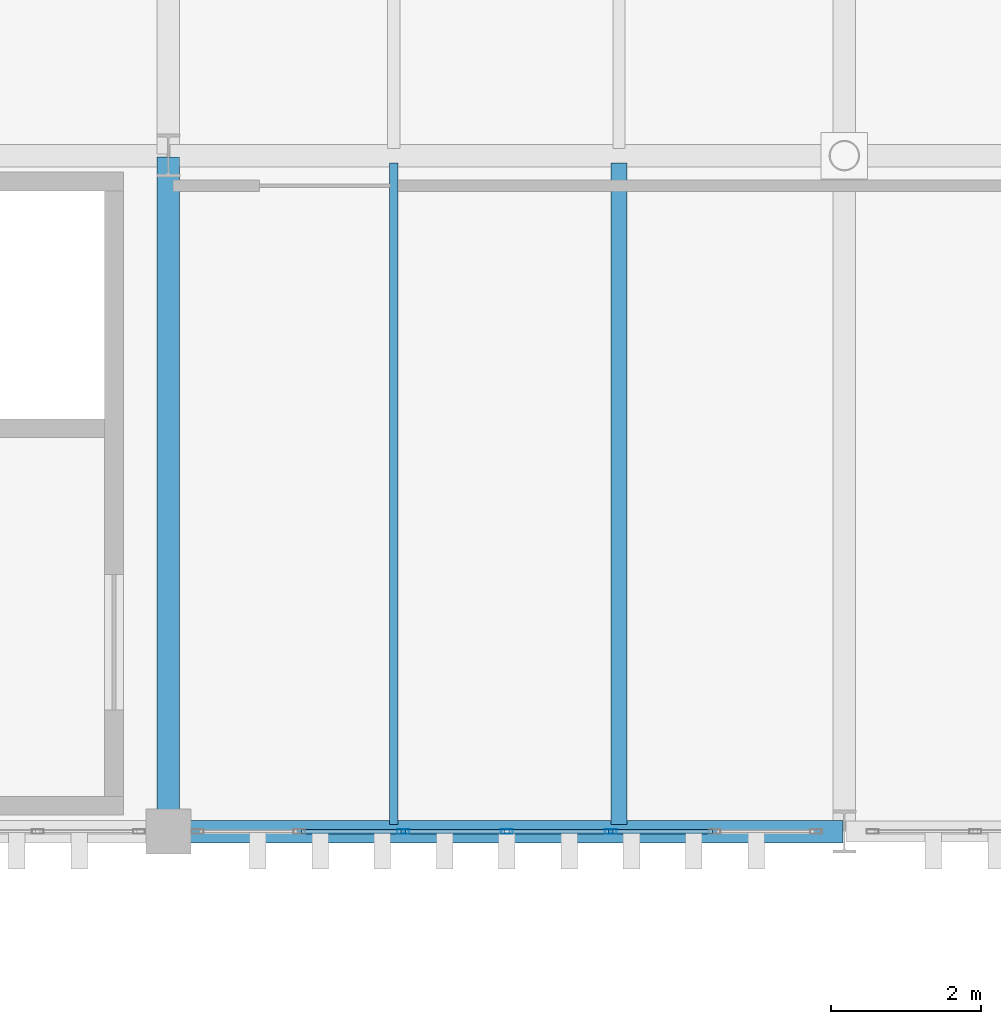
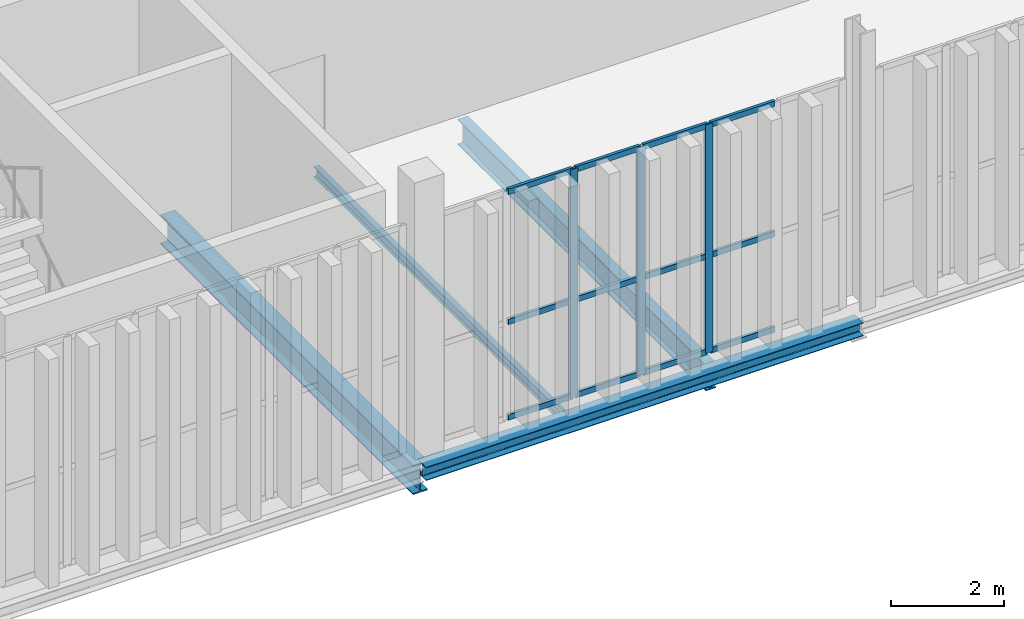
# One storey, part 114 of 211: 15 members, 4 beams, 1 element without a shape of its own.
"""IFC4 building model written with IfcOpenShell, lengths in metres."""

from ifc_helpers import new_model, si_unit, direction, frame, origin, origin_2d, place, context, subcontext, project, spatial, hollow_rectangle, i_section, extrude, material, layer, layer_set, material_profile, profile_set, type_object, element, aggregate, save


model = new_model("IFC4")

# Units and contexts
model_context = context("Model", 3, precision=1e-05, world=origin(), true_north=direction((0.0, 1.0)))
body_context = subcontext(model_context, "Body", "Model", "MODEL_VIEW")
ifc_project = project(units=[si_unit("LENGTHUNIT", "METRE"), si_unit("AREAUNIT", "SQUARE_METRE"), si_unit("VOLUMEUNIT", "CUBIC_METRE"), si_unit("PLANEANGLEUNIT", "RADIAN"), si_unit("MASSUNIT", "GRAM", prefix="KILO")], contexts=[model_context])

# Site, building, storey
site_placement = place(None, origin())
site = spatial("IfcSite", under=ifc_project, at=site_placement, CompositionType="ELEMENT")
building_placement = place(site_placement, origin())
building = spatial("IfcBuilding", under=site, at=building_placement, Name="Barlavento Convention Centre", CompositionType="ELEMENT")
storey_placement = place(building_placement, frame((0.0, 0.0, 6.0)))
storey = spatial("IfcBuildingStorey", under=building, at=storey_placement, Name="L01", CompositionType="ELEMENT", Elevation=6.0)

# Curtain wall, members
ifc_material_1 = material(Name="Powder-coated aluminium and Low-E glass", Category="aluminium")
ifc_layer = layer(ifc_material_1, 0.195068359375)
ifc_layer_set = layer_set([ifc_layer], Name="ARC-CW-PATIO-A")
curtain_wall_type = type_object("IfcCurtainWallType", Name="ARC-CW-PATIO-A", PredefinedType="NOTDEFINED", material=ifc_layer_set)
curtain_wall_placement = place(storey_placement, origin())
curtain_wall = element("IfcCurtainWall", 1, at=curtain_wall_placement, inside=storey, type_object=curtain_wall_type, Name="L01 unitised curtain wall CW11", PredefinedType="NOTDEFINED")
ifc_material_2 = material(Name="Powder-coated aluminium", Category="aluminium")
ifc_material_profile_1 = material_profile(ifc_material_2, hollow_rectangle(XDim=0.06005859375, YDim=0.159912109375, WallThickness=0.00390625, at=origin_2d()), Name="AL-MULL 60x160x4")
ifc_profile_set_1 = profile_set([ifc_material_profile_1], Name="Powder-coated aluminium")
member_type_1 = type_object("IfcMemberType", Name="ARC-CWM-60X160", PredefinedType="MULLION", material=ifc_profile_set_1)
member_1_placement = place(storey_placement, frame((156.124755859375, 90.0, 0.0), z_axis=(0.0, 0.0, 1.0), x_axis=(0.0, 1.0, 0.0)))
member_1 = element("IfcMember", 2, at=member_1_placement, type_object=member_type_1, Name="CW11 mullion 3", PredefinedType="MULLION", context=body_context, shape_type="SweptSolid", body=[
    extrude(hollow_rectangle(XDim=0.06005859375, YDim=0.159912109375, WallThickness=0.00390625, at=origin_2d()), origin(), (0.0, 0.0, 1.0), 4.949951171875),
])
member_2_placement = place(storey_placement, frame((157.507080078125, 90.0, 0.0), z_axis=(0.0, 0.0, 1.0), x_axis=(0.0, 1.0, 0.0)))
member_2 = element("IfcMember", 3, at=member_2_placement, type_object=member_type_1, Name="CW11 mullion 4", PredefinedType="MULLION", context=body_context, shape_type="SweptSolid", body=[
    extrude(hollow_rectangle(XDim=0.06005859375, YDim=0.159912109375, WallThickness=0.00390625, at=origin_2d()), origin(), (0.0, 0.0, 1.0), 4.949951171875),
])
member_3_placement = place(storey_placement, frame((158.889404296875, 90.0, 0.0), z_axis=(0.0, 0.0, 1.0), x_axis=(0.0, 1.0, 0.0)))
member_3 = element("IfcMember", 4, at=member_3_placement, type_object=member_type_1, Name="CW11 mullion 5", PredefinedType="MULLION", context=body_context, shape_type="SweptSolid", body=[
    extrude(hollow_rectangle(XDim=0.06005859375, YDim=0.159912109375, WallThickness=0.00390625, at=origin_2d()), origin(), (0.0, 0.0, 1.0), 4.949951171875),
])
ifc_material_profile_2 = material_profile(ifc_material_2, hollow_rectangle(XDim=0.06005859375, YDim=0.1201171875, WallThickness=0.00390625, at=origin_2d()), Name="AL-TRAN 60x120x4")
ifc_profile_set_2 = profile_set([ifc_material_profile_2], Name="Powder-coated aluminium")
member_type_2 = type_object("IfcMemberType", Name="ARC-CWT-60X120", PredefinedType="USERDEFINED", material=ifc_profile_set_2)
member_4_placement = place(storey_placement, frame((154.772216796875, 90.0, 0.030029296875), z_axis=(1.0, 0.0, 0.0), x_axis=(0.0, 1.0, 0.0)))
member_4 = element("IfcMember", 5, at=member_4_placement, type_object=member_type_2, Name="CW11 transom 2.1", ObjectType="TRANSOM", PredefinedType="USERDEFINED", context=body_context, shape_type="SweptSolid", body=[
    extrude(hollow_rectangle(XDim=0.06005859375, YDim=0.1201171875, WallThickness=0.00390625, at=origin_2d()), origin(), (0.0, 0.0, 1.0), 1.322509765625),
])
member_5_placement = place(storey_placement, frame((154.772216796875, 90.0, 2.10009765625), z_axis=(1.0, 0.0, 0.0), x_axis=(0.0, 1.0, 0.0)))
member_5 = element("IfcMember", 6, at=member_5_placement, type_object=member_type_2, Name="CW11 transom 2.2", ObjectType="TRANSOM", PredefinedType="USERDEFINED", context=body_context, shape_type="SweptSolid", body=[
    extrude(hollow_rectangle(XDim=0.06005859375, YDim=0.1201171875, WallThickness=0.00390625, at=origin_2d()), origin(), (0.0, 0.0, 1.0), 1.322509765625),
])
member_6_placement = place(storey_placement, frame((154.772216796875, 90.0, 4.919921875), z_axis=(1.0, 0.0, 0.0), x_axis=(0.0, 1.0, 0.0)))
member_6 = element("IfcMember", 7, at=member_6_placement, type_object=member_type_2, Name="CW11 transom 2.3", ObjectType="TRANSOM", PredefinedType="USERDEFINED", context=body_context, shape_type="SweptSolid", body=[
    extrude(hollow_rectangle(XDim=0.06005859375, YDim=0.1201171875, WallThickness=0.00390625, at=origin_2d()), origin(), (0.0, 0.0, 1.0), 1.322509765625),
])
member_7_placement = place(storey_placement, frame((156.15478515625, 90.0, 0.030029296875), z_axis=(1.0, 0.0, 0.0), x_axis=(0.0, 1.0, 0.0)))
member_7 = element("IfcMember", 8, at=member_7_placement, type_object=member_type_2, Name="CW11 transom 3.1", ObjectType="TRANSOM", PredefinedType="USERDEFINED", context=body_context, shape_type="SweptSolid", body=[
    extrude(hollow_rectangle(XDim=0.06005859375, YDim=0.1201171875, WallThickness=0.00390625, at=origin_2d()), origin(), (0.0, 0.0, 1.0), 1.322265625),
])
member_8_placement = place(storey_placement, frame((156.15478515625, 90.0, 2.10009765625), z_axis=(1.0, 0.0, 0.0), x_axis=(0.0, 1.0, 0.0)))
member_8 = element("IfcMember", 9, at=member_8_placement, type_object=member_type_2, Name="CW11 transom 3.2", ObjectType="TRANSOM", PredefinedType="USERDEFINED", context=body_context, shape_type="SweptSolid", body=[
    extrude(hollow_rectangle(XDim=0.06005859375, YDim=0.1201171875, WallThickness=0.00390625, at=origin_2d()), origin(), (0.0, 0.0, 1.0), 1.322265625),
])
member_9_placement = place(storey_placement, frame((156.15478515625, 90.0, 4.919921875), z_axis=(1.0, 0.0, 0.0), x_axis=(0.0, 1.0, 0.0)))
member_9 = element("IfcMember", 10, at=member_9_placement, type_object=member_type_2, Name="CW11 transom 3.3", ObjectType="TRANSOM", PredefinedType="USERDEFINED", context=body_context, shape_type="SweptSolid", body=[
    extrude(hollow_rectangle(XDim=0.06005859375, YDim=0.1201171875, WallThickness=0.00390625, at=origin_2d()), origin(), (0.0, 0.0, 1.0), 1.322265625),
])
member_10_placement = place(storey_placement, frame((157.537109375, 90.0, 0.030029296875), z_axis=(1.0, 0.0, 0.0), x_axis=(0.0, 1.0, 0.0)))
member_10 = element("IfcMember", 11, at=member_10_placement, type_object=member_type_2, Name="CW11 transom 4.1", ObjectType="TRANSOM", PredefinedType="USERDEFINED", context=body_context, shape_type="SweptSolid", body=[
    extrude(hollow_rectangle(XDim=0.06005859375, YDim=0.1201171875, WallThickness=0.00390625, at=origin_2d()), origin(), (0.0, 0.0, 1.0), 1.322265625),
])
member_11_placement = place(storey_placement, frame((157.537109375, 90.0, 2.10009765625), z_axis=(1.0, 0.0, 0.0), x_axis=(0.0, 1.0, 0.0)))
member_11 = element("IfcMember", 12, at=member_11_placement, type_object=member_type_2, Name="CW11 transom 4.2", ObjectType="TRANSOM", PredefinedType="USERDEFINED", context=body_context, shape_type="SweptSolid", body=[
    extrude(hollow_rectangle(XDim=0.06005859375, YDim=0.1201171875, WallThickness=0.00390625, at=origin_2d()), origin(), (0.0, 0.0, 1.0), 1.322265625),
])
member_12_placement = place(storey_placement, frame((157.537109375, 90.0, 4.919921875), z_axis=(1.0, 0.0, 0.0), x_axis=(0.0, 1.0, 0.0)))
member_12 = element("IfcMember", 13, at=member_12_placement, type_object=member_type_2, Name="CW11 transom 4.3", ObjectType="TRANSOM", PredefinedType="USERDEFINED", context=body_context, shape_type="SweptSolid", body=[
    extrude(hollow_rectangle(XDim=0.06005859375, YDim=0.1201171875, WallThickness=0.00390625, at=origin_2d()), origin(), (0.0, 0.0, 1.0), 1.322265625),
])
member_13_placement = place(storey_placement, frame((158.91943359375, 90.0, 0.030029296875), z_axis=(1.0, 0.0, 0.0), x_axis=(0.0, 1.0, 0.0)))
member_13 = element("IfcMember", 14, at=member_13_placement, type_object=member_type_2, Name="CW11 transom 5.1", ObjectType="TRANSOM", PredefinedType="USERDEFINED", context=body_context, shape_type="SweptSolid", body=[
    extrude(hollow_rectangle(XDim=0.06005859375, YDim=0.1201171875, WallThickness=0.00390625, at=origin_2d()), origin(), (0.0, 0.0, 1.0), 1.322265625),
])
member_14_placement = place(storey_placement, frame((158.91943359375, 90.0, 2.10009765625), z_axis=(1.0, 0.0, 0.0), x_axis=(0.0, 1.0, 0.0)))
member_14 = element("IfcMember", 15, at=member_14_placement, type_object=member_type_2, Name="CW11 transom 5.2", ObjectType="TRANSOM", PredefinedType="USERDEFINED", context=body_context, shape_type="SweptSolid", body=[
    extrude(hollow_rectangle(XDim=0.06005859375, YDim=0.1201171875, WallThickness=0.00390625, at=origin_2d()), origin(), (0.0, 0.0, 1.0), 1.322265625),
])
member_15_placement = place(storey_placement, frame((158.91943359375, 90.0, 4.919921875), z_axis=(1.0, 0.0, 0.0), x_axis=(0.0, 1.0, 0.0)))
member_15 = element("IfcMember", 16, at=member_15_placement, type_object=member_type_2, Name="CW11 transom 5.3", ObjectType="TRANSOM", PredefinedType="USERDEFINED", context=body_context, shape_type="SweptSolid", body=[
    extrude(hollow_rectangle(XDim=0.06005859375, YDim=0.1201171875, WallThickness=0.00390625, at=origin_2d()), origin(), (0.0, 0.0, 1.0), 1.322265625),
])
aggregate(curtain_wall, [member_1, member_2, member_3, member_4, member_5, member_6, member_7, member_8, member_9, member_10, member_11, member_12, member_13, member_14, member_15])

# Beams
ifc_material_3 = material(Name="Steel S355", Category="steel")
ifc_material_profile_3 = material_profile(ifc_material_3, i_section(OverallWidth=0.110107421875, OverallDepth=0.219970703125, WebThickness=0.005859375, FlangeThickness=0.00927734375, FilletRadius=0.011962890625, at=origin_2d()), Name="IPE 220")
ifc_profile_set_3 = profile_set([ifc_material_profile_3], Name="Steel S355")
beam_type_1 = type_object("IfcBeamType", Name="STR-BM-JST-IPE220", PredefinedType="JOIST", material=ifc_profile_set_3)
beam_1_placement = place(storey_placement, frame((156.0, 90.094970703125, -0.469970703125), z_axis=(0.0, 1.0, 0.0), x_axis=(-1.0, 0.0, 0.0)))
element("IfcBeam", 17, at=beam_1_placement, inside=storey, type_object=beam_type_1, Name="L01 composite floor joist SJ10", PredefinedType="JOIST", context=body_context, shape_type="SweptSolid", body=[
    extrude(i_section(OverallWidth=0.110107421875, OverallDepth=0.219970703125, WebThickness=0.005859375, FlangeThickness=0.00927734375, FilletRadius=0.011962890625, at=origin_2d()), origin(), (0.0, 0.0, 1.0), 8.81005859375),
])
ifc_material_profile_4 = material_profile(ifc_material_3, i_section(OverallWidth=0.2099609375, OverallDepth=0.550048828125, WebThickness=0.010986328125, FlangeThickness=0.01708984375, FilletRadius=0.02392578125, at=origin_2d()), Name="IPE 550")
ifc_profile_set_4 = profile_set([ifc_material_profile_4], Name="Steel S355")
beam_type_2 = type_object("IfcBeamType", Name="STR-BM-JST-IPE550", PredefinedType="JOIST", material=ifc_profile_set_4)
beam_2_placement = place(storey_placement, frame((159.0, 90.094970703125, -0.635009765625), z_axis=(0.0, 1.0, 0.0), x_axis=(-1.0, 0.0, 0.0)))
element("IfcBeam", 18, at=beam_2_placement, inside=storey, type_object=beam_type_2, Name="L01 composite floor joist SJ01", PredefinedType="JOIST", context=body_context, shape_type="SweptSolid", body=[
    extrude(i_section(OverallWidth=0.2099609375, OverallDepth=0.550048828125, WebThickness=0.010986328125, FlangeThickness=0.01708984375, FilletRadius=0.02392578125, at=origin_2d()), origin(), (0.0, 0.0, 1.0), 8.81005859375),
])
ifc_material_profile_5 = material_profile(ifc_material_3, i_section(OverallWidth=0.300048828125, OverallDepth=0.639892578125, WebThickness=0.013427734375, FlangeThickness=0.02587890625, FilletRadius=0.027099609375, at=origin_2d()), Name="HEA 650")
ifc_profile_set_5 = profile_set([ifc_material_profile_5], Name="Steel S355")
beam_type_3 = type_object("IfcBeamType", Name="STR-BM-PRI-HEA650", PredefinedType="BEAM", material=ifc_profile_set_5)
beam_3_placement = place(storey_placement, frame((153.0, 90.02001953125, -0.679931640625), z_axis=(0.0, 1.0, 0.0), x_axis=(-1.0, 0.0, 0.0)))
element("IfcBeam", 19, at=beam_3_placement, inside=storey, type_object=beam_type_3, Name="L01 grid girder BG17", PredefinedType="BEAM", context=body_context, shape_type="SweptSolid", body=[
    extrude(i_section(OverallWidth=0.300048828125, OverallDepth=0.639892578125, WebThickness=0.013427734375, FlangeThickness=0.02587890625, FilletRadius=0.027099609375, at=origin_2d()), origin(), (0.0, 0.0, 1.0), 8.9599609375),
])
ifc_material_profile_6 = material_profile(ifc_material_3, i_section(OverallWidth=0.300048828125, OverallDepth=0.2900390625, WebThickness=0.008544921875, FlangeThickness=0.013916015625, FilletRadius=0.027099609375, at=origin_2d()), Name="HEA 300")
ifc_profile_set_6 = profile_set([ifc_material_profile_6], Name="Steel S355")
beam_type_4 = type_object("IfcBeamType", Name="STR-BM-SPN-HEA300", PredefinedType="SPANDREL", material=ifc_profile_set_6)
beam_4_placement = place(storey_placement, frame((153.02001953125, 90.0, -0.5048828125), z_axis=(1.0, 0.0, 0.0), x_axis=(0.0, 1.0, 0.0)))
element("IfcBeam", 20, at=beam_4_placement, inside=storey, type_object=beam_type_4, Name="L01 primary girder SP02", PredefinedType="SPANDREL", context=body_context, shape_type="SweptSolid", body=[
    extrude(i_section(OverallWidth=0.300048828125, OverallDepth=0.2900390625, WebThickness=0.008544921875, FlangeThickness=0.013916015625, FilletRadius=0.027099609375, at=origin_2d()), origin(), (0.0, 0.0, 1.0), 8.9599609375),
])

save(model, "model.ifc")
